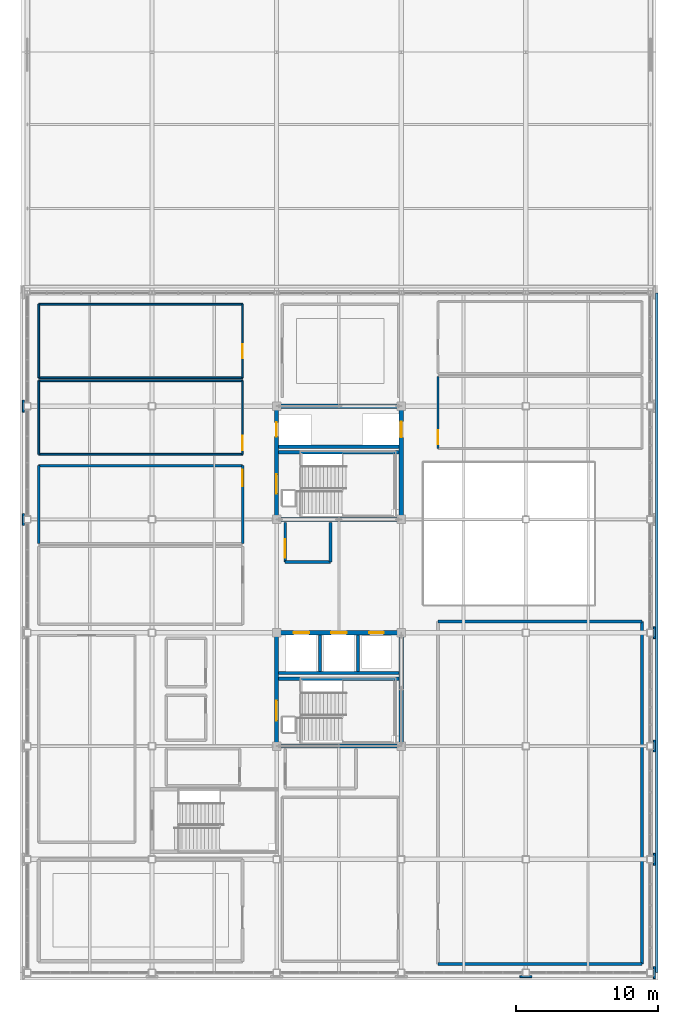
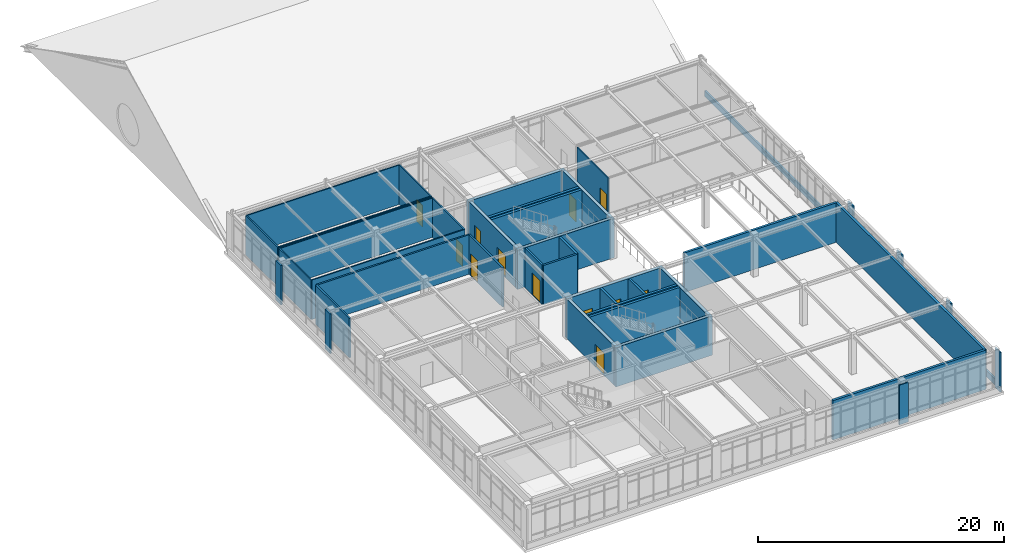
# One storey, part 41 of 45: 40 walls, 12 doors, 12 openings.
"""IFC4 building model written with IfcOpenShell, lengths in metres."""

from ifc_helpers import new_model, si_unit, direction, frame, frame_2d, origin, place, context, subcontext, project, spatial, rectangle, extrude, material, layer, layer_set, type_object, element, fill, save


model = new_model("IFC4")

# Units and contexts
model_context = context("Model", 3, precision=1e-05, world=origin(), true_north=direction((0.0, 1.0)))
body_context = subcontext(model_context, "Body", "Model", "MODEL_VIEW")
ifc_project = project(units=[si_unit("LENGTHUNIT", "METRE"), si_unit("AREAUNIT", "SQUARE_METRE"), si_unit("VOLUMEUNIT", "CUBIC_METRE"), si_unit("PLANEANGLEUNIT", "RADIAN"), si_unit("MASSUNIT", "GRAM", prefix="KILO")], contexts=[model_context])

# Site, building, storey
site_placement = place(None, origin())
site = spatial("IfcSite", under=ifc_project, at=site_placement, CompositionType="ELEMENT")
building_placement = place(site_placement, origin())
building = spatial("IfcBuilding", under=site, at=building_placement, Name="Zhaolan Boulevard Law Courts", CompositionType="ELEMENT")
storey_placement = place(building_placement, frame((0.0, 0.0, 24.60009765625)))
storey = spatial("IfcBuildingStorey", under=building, at=storey_placement, Name="L05", CompositionType="ELEMENT", Elevation=24.60009765625)

# Wall
ifc_material_1 = material(Name="Concrete C50", Category="concrete")
ifc_layer_1 = layer(ifc_material_1, 0.300048828125)
ifc_layer_set_1 = layer_set([ifc_layer_1])
wall_type_1 = type_object("IfcWallType", Name="CORE SHEAR WALL 300", PredefinedType="SHEAR", material=ifc_layer_set_1)
wall_1_placement = place(storey_placement, frame((17.449951171875, 46.0, 0.0), z_axis=(0.0, 0.0, 1.0), x_axis=(1.0, 0.0, 0.0)))
element("IfcWall", 1, at=wall_1_placement, inside=storey, type_object=wall_type_1, Name="Core Shear Wall CW-W1-L05S", PredefinedType="SHEAR", context=body_context, shape_type="SweptSolid", body=[
    extrude(rectangle(XDim=9.10009765625, YDim=0.300048828125, at=frame_2d((4.550048828125, 0.0))), origin(), (0.0, 0.0, 1.0), 3.919921875),
])

# Wall, openings, doors
wall_2_placement = place(storey_placement, frame((26.550048828125, 54.0, 0.0), z_axis=(0.0, 0.0, 1.0), x_axis=(-1.0, 0.0, 0.0)))
wall_2 = element("IfcWall", 2, at=wall_2_placement, inside=storey, type_object=wall_type_1, Name="Core Shear Wall CW-W1-L05N", PredefinedType="SHEAR", context=body_context, shape_type="SweptSolid", body=[
    extrude(rectangle(XDim=9.10009765625, YDim=0.300048828125, at=frame_2d((4.550048828125, 0.0))), origin(), (0.0, 0.0, 1.0), 3.919921875),
])
opening_1_placement = place(wall_2_placement, frame((6.64990234375, 0.0, 0.0)))
opening_1 = element("IfcOpeningElement", 3, at=opening_1_placement, cuts=wall_2, Name="Opening LD-FL-01-L05", PredefinedType="OPENING", context=body_context, shape_type="SweptSolid", body=[
    extrude(rectangle(XDim=1.10009765625, YDim=2.14990234375, at=frame_2d((0.550048828125, 1.074951171875))), frame((0.0, 0.159912109375, 0.0), z_axis=(0.0, -1.0, 0.0), x_axis=(1.0, 0.0, 0.0)), (0.0, 0.0, 1.0), 0.320068359375),
])
opening_2_placement = place(wall_2_placement, frame((4.0, 0.0, 0.0)))
opening_2 = element("IfcOpeningElement", 4, at=opening_2_placement, cuts=wall_2, Name="Opening LD-FL-02-L05", PredefinedType="OPENING", context=body_context, shape_type="SweptSolid", body=[
    extrude(rectangle(XDim=1.10009765625, YDim=2.14990234375, at=frame_2d((0.550048828125, 1.074951171875))), frame((0.0, 0.159912109375, 0.0), z_axis=(0.0, -1.0, 0.0), x_axis=(1.0, 0.0, 0.0)), (0.0, 0.0, 1.0), 0.320068359375),
])
opening_3_placement = place(wall_2_placement, frame((1.39990234375, 0.0, 0.0)))
opening_3 = element("IfcOpeningElement", 5, at=opening_3_placement, cuts=wall_2, Name="Opening LD-JL-01-L05", PredefinedType="OPENING", context=body_context, shape_type="SweptSolid", body=[
    extrude(rectangle(XDim=1.0, YDim=2.14990234375, at=frame_2d((0.5, 1.074951171875))), frame((0.0, 0.159912109375, 0.0), z_axis=(0.0, -1.0, 0.0), x_axis=(1.0, 0.0, 0.0)), (0.0, 0.0, 1.0), 0.320068359375),
])
ifc_material_2 = material(Name="Stainless steel sliding landing door", Category="steel")
door_type_1 = type_object("IfcDoorType", Name="LIFT LANDING 1000X2150", OperationType="DOUBLE_DOOR_SLIDING", PredefinedType="DOOR", material=ifc_material_2)
door_1_placement = place(opening_3_placement, origin())
door_1 = element("IfcDoor", 6, at=door_1_placement, inside=storey, type_object=door_type_1, Name="Lift Landing Sliding Door LD-JL-01-L05", OperationType="DOUBLE_DOOR_SLIDING", OverallHeight=2.14990234375, OverallWidth=1.0, PredefinedType="DOOR", context=body_context, shape_type="SweptSolid", body=[
    extrude(rectangle(XDim=1.0, YDim=2.14990234375, at=frame_2d((0.5, 1.074951171875))), frame((0.0, 0.02490234375, 0.0), z_axis=(0.0, -1.0, 0.0), x_axis=(1.0, 0.0, 0.0)), (0.0, 0.0, 1.0), 0.050048828125),
])
fill(opening_3, door_1)
ifc_material_3 = material(Name="Stainless steel sliding landing door", Category="steel")
door_type_2 = type_object("IfcDoorType", Name="LIFT LANDING 1100X2150", OperationType="DOUBLE_DOOR_SLIDING", PredefinedType="DOOR", material=ifc_material_3)
door_2_placement = place(opening_1_placement, origin())
door_2 = element("IfcDoor", 7, at=door_2_placement, inside=storey, type_object=door_type_2, Name="Lift Landing Sliding Door LD-FL-01-L05", OperationType="DOUBLE_DOOR_SLIDING", OverallHeight=2.14990234375, OverallWidth=1.10009765625, PredefinedType="DOOR", context=body_context, shape_type="SweptSolid", body=[
    extrude(rectangle(XDim=1.10009765625, YDim=2.14990234375, at=frame_2d((0.550048828125, 1.074951171875))), frame((0.0, 0.02490234375, 0.0), z_axis=(0.0, -1.0, 0.0), x_axis=(1.0, 0.0, 0.0)), (0.0, 0.0, 1.0), 0.050048828125),
])
fill(opening_1, door_2)
door_3_placement = place(opening_2_placement, origin())
door_3 = element("IfcDoor", 8, at=door_3_placement, inside=storey, type_object=door_type_2, Name="Lift Landing Sliding Door LD-FL-02-L05", OperationType="DOUBLE_DOOR_SLIDING", OverallHeight=2.14990234375, OverallWidth=1.10009765625, PredefinedType="DOOR", context=body_context, shape_type="SweptSolid", body=[
    extrude(rectangle(XDim=1.10009765625, YDim=2.14990234375, at=frame_2d((0.550048828125, 1.074951171875))), frame((0.0, 0.02490234375, 0.0), z_axis=(0.0, -1.0, 0.0), x_axis=(1.0, 0.0, 0.0)), (0.0, 0.0, 1.0), 0.050048828125),
])
fill(opening_2, door_3)

# Wall, opening, door
wall_3_placement = place(storey_placement, frame((17.60009765625, 46.14990234375, 0.0), z_axis=(0.0, 0.0, 1.0), x_axis=(0.0, 1.0, 0.0)))
wall_3 = element("IfcWall", 9, at=wall_3_placement, inside=storey, type_object=wall_type_1, Name="Core Shear Wall CW-W1-L05W", PredefinedType="SHEAR", context=body_context, shape_type="SweptSolid", body=[
    extrude(rectangle(XDim=7.7001953125, YDim=0.300048828125, at=frame_2d((3.85009765625, 0.0))), origin(), (0.0, 0.0, 1.0), 3.919921875),
])
opening_4_placement = place(wall_3_placement, frame((1.64990234375, 0.0, 0.0)))
opening_4 = element("IfcOpeningElement", 10, at=opening_4_placement, cuts=wall_3, Name="Opening SD-L05-07", PredefinedType="OPENING", context=body_context, shape_type="SweptSolid", body=[
    extrude(rectangle(XDim=1.39990234375, YDim=2.199951171875, at=frame_2d((0.699951171875, 1.10009765625))), frame((0.0, 0.159912109375, 0.0), z_axis=(0.0, -1.0, 0.0), x_axis=(1.0, 0.0, 0.0)), (0.0, 0.0, 1.0), 0.320068359375),
])
ifc_material_4 = material(Name="Fire-rated steel acoustic door", Category="steel")
door_type_3 = type_object("IfcDoorType", Name="STAIR FIRE 1400X2200 L", OperationType="SINGLE_SWING_LEFT", PredefinedType="DOOR", material=ifc_material_4)
door_4_placement = place(opening_4_placement, origin())
door_4 = element("IfcDoor", 11, at=door_4_placement, inside=storey, type_object=door_type_3, Name="Smoke-Proof Stairwell Fire Door SD-L05-07", OperationType="SINGLE_SWING_LEFT", OverallHeight=2.199951171875, OverallWidth=1.39990234375, PredefinedType="DOOR", context=body_context, shape_type="SweptSolid", body=[
    extrude(rectangle(XDim=1.39990234375, YDim=2.199951171875, at=frame_2d((0.699951171875, 1.10009765625))), frame((0.0, 0.02490234375, 0.0), z_axis=(0.0, -1.0, 0.0), x_axis=(1.0, 0.0, 0.0)), (0.0, 0.0, 1.0), 0.050048828125),
])
fill(opening_4, door_4)

# Walls
wall_4_placement = place(storey_placement, frame((26.39990234375, 46.14990234375, 0.0), z_axis=(0.0, 0.0, 1.0), x_axis=(0.0, 1.0, 0.0)))
element("IfcWall", 12, at=wall_4_placement, inside=storey, type_object=wall_type_1, Name="Core Shear Wall CW-W1-L05E", PredefinedType="SHEAR", context=body_context, shape_type="SweptSolid", body=[
    extrude(rectangle(XDim=7.7001953125, YDim=0.300048828125, at=frame_2d((3.85009765625, 0.0))), origin(), (0.0, 0.0, 1.0), 3.919921875),
])
for number, where, z_axis, x_axis, name in (
    (13, (17.449951171875, 62.0, 0.0), (0.0, 0.0, 1.0), (1.0, 0.0, 0.0), "Core Shear Wall CW-W2-L05S"),
    (14, (26.550048828125, 70.0, 0.0), (0.0, 0.0, 1.0), (-1.0, 0.0, 0.0), "Core Shear Wall CW-W2-L05N"),
):
    element("IfcWall", number, at=place(storey_placement, frame(where, z_axis=z_axis, x_axis=x_axis)), inside=storey, type_object=wall_type_1, Name=name, PredefinedType="SHEAR", context=body_context, shape_type="SweptSolid", body=[
        extrude(rectangle(XDim=9.10009765625, YDim=0.300048828125, at=frame_2d((4.550048828125, 0.0))), origin(), (0.0, 0.0, 1.0), 3.919921875),
    ])

# Wall, openings, doors
wall_5_placement = place(storey_placement, frame((17.60009765625, 62.14990234375, 0.0), z_axis=(0.0, 0.0, 1.0), x_axis=(0.0, 1.0, 0.0)))
wall_5 = element("IfcWall", 15, at=wall_5_placement, inside=storey, type_object=wall_type_1, Name="Core Shear Wall CW-W2-L05W", PredefinedType="SHEAR", context=body_context, shape_type="SweptSolid", body=[
    extrude(rectangle(XDim=7.7001953125, YDim=0.300048828125, at=frame_2d((3.85009765625, 0.0))), origin(), (0.0, 0.0, 1.0), 3.919921875),
])
opening_5_placement = place(wall_5_placement, frame((1.675048828125, 0.0, 0.0)))
opening_5 = element("IfcOpeningElement", 16, at=opening_5_placement, cuts=wall_5, Name="Opening SD-L05-18", PredefinedType="OPENING", context=body_context, shape_type="SweptSolid", body=[
    extrude(rectangle(XDim=1.35009765625, YDim=2.199951171875, at=frame_2d((0.675048828125, 1.10009765625))), frame((0.0, 0.159912109375, 0.0), z_axis=(0.0, -1.0, 0.0), x_axis=(1.0, 0.0, 0.0)), (0.0, 0.0, 1.0), 0.320068359375),
])
opening_6_placement = place(wall_5_placement, frame((5.699951171875, 0.0, 0.0)))
opening_6 = element("IfcOpeningElement", 17, at=opening_6_placement, cuts=wall_5, Name="Opening LD-JL-02-L05", PredefinedType="OPENING", context=body_context, shape_type="SweptSolid", body=[
    extrude(rectangle(XDim=1.0, YDim=2.14990234375, at=frame_2d((0.5, 1.074951171875))), frame((0.0, 0.159912109375, 0.0), z_axis=(0.0, -1.0, 0.0), x_axis=(1.0, 0.0, 0.0)), (0.0, 0.0, 1.0), 0.320068359375),
])
door_5_placement = place(opening_6_placement, origin())
door_5 = element("IfcDoor", 18, at=door_5_placement, inside=storey, type_object=door_type_1, Name="Lift Landing Sliding Door LD-JL-02-L05", OperationType="DOUBLE_DOOR_SLIDING", OverallHeight=2.14990234375, OverallWidth=1.0, PredefinedType="DOOR", context=body_context, shape_type="SweptSolid", body=[
    extrude(rectangle(XDim=1.0, YDim=2.14990234375, at=frame_2d((0.5, 1.074951171875))), frame((0.0, 0.02490234375, 0.0), z_axis=(0.0, -1.0, 0.0), x_axis=(1.0, 0.0, 0.0)), (0.0, 0.0, 1.0), 0.050048828125),
])
fill(opening_6, door_5)
ifc_material_5 = material(Name="Fire-rated steel acoustic door", Category="steel")
door_type_4 = type_object("IfcDoorType", Name="STAIR FIRE 1350X2200 R", OperationType="SINGLE_SWING_RIGHT", PredefinedType="DOOR", material=ifc_material_5)
door_6_placement = place(opening_5_placement, origin())
door_6 = element("IfcDoor", 19, at=door_6_placement, inside=storey, type_object=door_type_4, Name="Smoke-Proof Stairwell Fire Door SD-L05-18", OperationType="SINGLE_SWING_RIGHT", OverallHeight=2.199951171875, OverallWidth=1.35009765625, PredefinedType="DOOR", context=body_context, shape_type="SweptSolid", body=[
    extrude(rectangle(XDim=1.35009765625, YDim=2.199951171875, at=frame_2d((0.675048828125, 1.10009765625))), frame((0.0, 0.02490234375, 0.0), z_axis=(0.0, -1.0, 0.0), x_axis=(1.0, 0.0, 0.0)), (0.0, 0.0, 1.0), 0.050048828125),
])
fill(opening_5, door_6)

# Wall, opening, door
wall_6_placement = place(storey_placement, frame((26.39990234375, 62.14990234375, 0.0), z_axis=(0.0, 0.0, 1.0), x_axis=(0.0, 1.0, 0.0)))
wall_6 = element("IfcWall", 20, at=wall_6_placement, inside=storey, type_object=wall_type_1, Name="Core Shear Wall CW-W2-L05E", PredefinedType="SHEAR", context=body_context, shape_type="SweptSolid", body=[
    extrude(rectangle(XDim=7.7001953125, YDim=0.300048828125, at=frame_2d((3.85009765625, 0.0))), origin(), (0.0, 0.0, 1.0), 3.919921875),
])
opening_7_placement = place(wall_6_placement, frame((5.64990234375, 0.0, 0.0)))
opening_7 = element("IfcOpeningElement", 21, at=opening_7_placement, cuts=wall_6, Name="Opening LD-FL-03-L05", PredefinedType="OPENING", context=body_context, shape_type="SweptSolid", body=[
    extrude(rectangle(XDim=1.10009765625, YDim=2.14990234375, at=frame_2d((0.550048828125, 1.074951171875))), frame((0.0, 0.159912109375, 0.0), z_axis=(0.0, -1.0, 0.0), x_axis=(1.0, 0.0, 0.0)), (0.0, 0.0, 1.0), 0.320068359375),
])
door_7_placement = place(opening_7_placement, origin())
door_7 = element("IfcDoor", 22, at=door_7_placement, inside=storey, type_object=door_type_2, Name="Lift Landing Sliding Door LD-FL-03-L05", OperationType="DOUBLE_DOOR_SLIDING", OverallHeight=2.14990234375, OverallWidth=1.10009765625, PredefinedType="DOOR", context=body_context, shape_type="SweptSolid", body=[
    extrude(rectangle(XDim=1.10009765625, YDim=2.14990234375, at=frame_2d((0.550048828125, 1.074951171875))), frame((0.0, 0.02490234375, 0.0), z_axis=(0.0, -1.0, 0.0), x_axis=(1.0, 0.0, 0.0)), (0.0, 0.0, 1.0), 0.050048828125),
])
fill(opening_7, door_7)

# Walls
ifc_material_6 = material(Name="Concrete C40", Category="concrete")
ifc_layer_2 = layer(ifc_material_6, 0.139892578125)
ifc_layer_set_2 = layer_set([ifc_layer_2])
wall_type_2 = type_object("IfcWallType", Name="EXT WALL ARCH CLAD140", PredefinedType="SOLIDWALL", material=ifc_layer_set_2)
for number, where, z_axis, x_axis, name in (
    (23, (44.280029296875, 29.580078125, 0.0), (0.0, 0.0, 1.0), (0.0, 1.0, 0.0), "Concrete Column Cloak Pier CPR-122"),
    (24, (44.280029296875, 37.580078125, 0.0), (0.0, 0.0, 1.0), (0.0, 1.0, 0.0), "Concrete Column Cloak Pier CPR-124"),
    (25, (44.280029296875, 45.580078125, 0.0), (0.0, 0.0, 1.0), (0.0, 1.0, 0.0), "Concrete Column Cloak Pier CPR-126"),
    (26, (44.280029296875, 53.580078125, 0.0), (0.0, 0.0, 1.0), (0.0, 1.0, 0.0), "Concrete Column Cloak Pier CPR-128"),
    (27, (-0.280029296875, 61.580078125, 0.0), (0.0, 0.0, 1.0), (0.0, 1.0, 0.0), "Concrete Column Cloak Pier CPR-129"),
    (28, (-0.280029296875, 69.580078125, 0.0), (0.0, 0.0, 1.0), (0.0, 1.0, 0.0), "Concrete Column Cloak Pier CPR-131"),
):
    element("IfcWall", number, at=place(storey_placement, frame(where, z_axis=z_axis, x_axis=x_axis)), inside=storey, type_object=wall_type_2, Name=name, PredefinedType="SOLIDWALL", context=body_context, shape_type="SweptSolid", body=[
        extrude(rectangle(XDim=0.83984375, YDim=0.139892578125, at=frame_2d((0.419921875, 0.0))), origin(), (0.0, 0.0, 1.0), 3.93994140625),
    ])
wall_7_placement = place(storey_placement, frame((34.780029296875, 29.719970703125, 0.0), z_axis=(0.0, 0.0, 1.0), x_axis=(1.0, 0.0, 0.0)))
element("IfcWall", 29, at=wall_7_placement, inside=storey, type_object=wall_type_2, Name="Concrete Column Cloak Pier CPR-138", PredefinedType="SOLIDWALL", context=body_context, shape_type="SweptSolid", body=[
    extrude(rectangle(XDim=0.840087890625, YDim=0.139892578125, at=frame_2d((0.419921875, 0.0))), origin(), (0.0, 0.0, 1.0), 3.93994140625),
])
ifc_material_7 = material(Name="Concrete C40", Category="concrete")
ifc_layer_3 = layer(ifc_material_7, 0.159912109375)
ifc_layer_set_3 = layer_set([ifc_layer_3])
wall_type_3 = type_object("IfcWallType", Name="EXT WALL ARCH CLAD160", PredefinedType="SOLIDWALL", material=ifc_layer_set_3)
wall_8_placement = place(storey_placement, frame((44.43994140625, 30.0, 0.0), z_axis=(0.0, 0.0, 1.0), x_axis=(0.0, 1.0, 0.0)))
element("IfcWall", 30, at=wall_8_placement, inside=storey, type_object=wall_type_3, Name="Sculpted Concrete Spandrel Band CBW-118", PredefinedType="SOLIDWALL", context=body_context, shape_type="SweptSolid", body=[
    extrude(rectangle(XDim=48.0, YDim=0.159912109375, at=frame_2d((24.0, 0.0))), origin(), (0.0, 0.0, 1.0), 0.579833984375),
])
ifc_material_8 = material(Name="Concrete C50", Category="concrete")
ifc_layer_4 = layer(ifc_material_8, 0.239990234375)
ifc_layer_set_4 = layer_set([ifc_layer_4])
wall_type_4 = type_object("IfcWallType", Name="LIFT SHAFT WALL 240", PredefinedType="SHEAR", material=ifc_layer_set_4)
for number, where, z_axis, x_axis, name in (
    (31, (17.75, 51.155029296875, 0.0), (0.0, 0.0, 1.0), (1.0, 0.0, 0.0), "Lift Shaft Enclosure Wall W1 (L05)"),
    (32, (17.75, 67.1298828125, 0.0), (0.0, 0.0, 1.0), (1.0, 0.0, 0.0), "Lift Shaft Enclosure Wall W2 (L05)"),
):
    element("IfcWall", number, at=place(storey_placement, frame(where, z_axis=z_axis, x_axis=x_axis)), inside=storey, type_object=wall_type_4, Name=name, PredefinedType="SHEAR", context=body_context, shape_type="SweptSolid", body=[
        extrude(rectangle(XDim=8.5, YDim=0.239990234375, at=frame_2d((4.25, 0.0))), origin(), (0.0, 0.0, 1.0), 3.919921875),
    ])
ifc_material_9 = material(Name="Acoustic gypsum and mineral-wool stud")
ifc_layer_5 = layer(ifc_material_9, 0.18994140625)
ifc_layer_set_5 = layer_set([ifc_layer_5])
wall_type_5 = type_object("IfcWallType", Name="PART WALL ACOUST190", PredefinedType="PARTITIONING", material=ifc_layer_set_5)
wall_9_placement = place(storey_placement, frame((18.199951171875, 59.0, 0.0), z_axis=(0.0, 0.0, 1.0), x_axis=(1.0, 0.0, 0.0)))
element("IfcWall", 33, at=wall_9_placement, inside=storey, type_object=wall_type_5, Name="Interior Partition PW-L05-040", PredefinedType="PARTITIONING", context=body_context, shape_type="SweptSolid", body=[
    extrude(rectangle(XDim=3.199951171875, YDim=0.18994140625, at=frame_2d((1.60009765625, 0.0))), origin(), (0.0, 0.0, 1.0), 3.919921875),
])

# Wall, opening, door
wall_10_placement = place(storey_placement, frame((18.199951171875, 61.800048828125, 0.0), z_axis=(0.0, 0.0, 1.0), x_axis=(0.0, -1.0, 0.0)))
wall_10 = element("IfcWall", 34, at=wall_10_placement, inside=storey, type_object=wall_type_5, Name="Interior Partition PW-L05-041", PredefinedType="PARTITIONING", context=body_context, shape_type="SweptSolid", body=[
    extrude(rectangle(XDim=2.800048828125, YDim=0.18994140625, at=frame_2d((1.39990234375, 0.0))), origin(), (0.0, 0.0, 1.0), 3.919921875),
])
opening_8_placement = place(wall_10_placement, frame((1.199951171875, 0.0, 0.0)))
opening_8 = element("IfcOpeningElement", 35, at=opening_8_placement, cuts=wall_10, Name="Opening FD-L05-014", PredefinedType="OPENING", context=body_context, shape_type="SweptSolid", body=[
    extrude(rectangle(XDim=1.300048828125, YDim=2.199951171875, at=frame_2d((0.64990234375, 1.10009765625))), frame((0.0, 0.10498046875, 0.0), z_axis=(0.0, -1.0, 0.0), x_axis=(1.0, 0.0, 0.0)), (0.0, 0.0, 1.0), 0.2099609375),
])
ifc_material_10 = material(Name="Fire-rated steel acoustic door", Category="steel")
door_type_5 = type_object("IfcDoorType", Name="LOBBY FIRE 1300X2200 R", OperationType="SINGLE_SWING_RIGHT", PredefinedType="DOOR", material=ifc_material_10)
door_8_placement = place(opening_8_placement, origin())
door_8 = element("IfcDoor", 36, at=door_8_placement, inside=storey, type_object=door_type_5, Name="Door FD-L05-014 (Lobby Firefighting Lift L05-W2)", OperationType="SINGLE_SWING_RIGHT", OverallHeight=2.199951171875, OverallWidth=1.300048828125, PredefinedType="DOOR", context=body_context, shape_type="SweptSolid", body=[
    extrude(rectangle(XDim=1.300048828125, YDim=2.199951171875, at=frame_2d((0.64990234375, 1.10009765625))), frame((0.0, 0.02490234375, 0.0), z_axis=(0.0, -1.0, 0.0), x_axis=(1.0, 0.0, 0.0)), (0.0, 0.0, 1.0), 0.050048828125),
])
fill(opening_8, door_8)

# Walls
wall_11_placement = place(storey_placement, frame((21.39990234375, 59.0, 0.0), z_axis=(0.0, 0.0, 1.0), x_axis=(0.0, 1.0, 0.0)))
element("IfcWall", 37, at=wall_11_placement, inside=storey, type_object=wall_type_5, Name="Interior Partition PW-L05-042", PredefinedType="PARTITIONING", context=body_context, shape_type="SweptSolid", body=[
    extrude(rectangle(XDim=2.800048828125, YDim=0.18994140625, at=frame_2d((1.39990234375, 0.0))), origin(), (0.0, 0.0, 1.0), 3.919921875),
])
ifc_material_11 = material(Name="Fire-rated gypsum stud partition")
ifc_layer_6 = layer(ifc_material_11, 0.159912109375)
ifc_layer_set_6 = layer_set([ifc_layer_6])
wall_type_6 = type_object("IfcWallType", Name="PART WALL CHAMB160", PredefinedType="PARTITIONING", material=ifc_layer_set_6)
wall_12_placement = place(storey_placement, frame((15.199951171875, 65.800048828125, 0.0), z_axis=(0.0, 0.0, 1.0), x_axis=(-1.0, 0.0, 0.0)))
element("IfcWall", 38, at=wall_12_placement, inside=storey, type_object=wall_type_6, Name="Interior Partition PW-L05-643", PredefinedType="PARTITIONING", context=body_context, shape_type="SweptSolid", body=[
    extrude(rectangle(XDim=14.39990234375, YDim=0.159912109375, at=frame_2d((7.199951171875, 0.0))), origin(), (0.0, 0.0, 1.0), 3.919921875),
])
wall_13_placement = place(storey_placement, frame((0.800048828125, 65.800048828125, 0.0), z_axis=(0.0, 0.0, 1.0), x_axis=(0.0, -1.0, 0.0)))
element("IfcWall", 39, at=wall_13_placement, inside=storey, type_object=wall_type_6, Name="Interior Partition PW-L05-644", PredefinedType="PARTITIONING", context=body_context, shape_type="SweptSolid", body=[
    extrude(rectangle(XDim=5.489990234375, YDim=0.159912109375, at=frame_2d((2.7451171875, 0.0))), origin(), (0.0, 0.0, 1.0), 3.919921875),
])

# Wall, opening, door
wall_14_placement = place(storey_placement, frame((15.199951171875, 60.31005859375, 0.0), z_axis=(0.0, 0.0, 1.0), x_axis=(0.0, 1.0, 0.0)))
wall_14 = element("IfcWall", 40, at=wall_14_placement, inside=storey, type_object=wall_type_6, Name="Interior Partition PW-L05-645", PredefinedType="PARTITIONING", context=body_context, shape_type="SweptSolid", body=[
    extrude(rectangle(XDim=5.489990234375, YDim=0.159912109375, at=frame_2d((2.7451171875, 0.0))), origin(), (0.0, 0.0, 1.0), 3.919921875),
])
opening_9_placement = place(wall_14_placement, frame((4.0400390625, 0.0, 0.0)))
opening_9 = element("IfcOpeningElement", 41, at=opening_9_placement, cuts=wall_14, Name="Opening JR-L05-197", PredefinedType="OPENING", context=body_context, shape_type="SweptSolid", body=[
    extrude(rectangle(XDim=1.14990234375, YDim=2.199951171875, at=frame_2d((0.574951171875, 1.10009765625))), frame((0.0, 0.08984375, 0.0), z_axis=(0.0, -1.0, 0.0), x_axis=(1.0, 0.0, 0.0)), (0.0, 0.0, 1.0), 0.179931640625),
])
ifc_material_12 = material(Name="Solid-core acoustic oak veneer door")
door_type_6 = type_object("IfcDoorType", Name="JURY DOOR 1150X2200 L", OperationType="SINGLE_SWING_LEFT", PredefinedType="DOOR", material=ifc_material_12)
door_9_placement = place(opening_9_placement, origin())
door_9 = element("IfcDoor", 42, at=door_9_placement, inside=storey, type_object=door_type_6, Name="Door JR-L05-197 (Jury Room L05-02)", OperationType="SINGLE_SWING_LEFT", OverallHeight=2.199951171875, OverallWidth=1.14990234375, PredefinedType="DOOR", context=body_context, shape_type="SweptSolid", body=[
    extrude(rectangle(XDim=1.14990234375, YDim=2.199951171875, at=frame_2d((0.574951171875, 1.10009765625))), frame((0.0, 0.02490234375, 0.0), z_axis=(0.0, -1.0, 0.0), x_axis=(1.0, 0.0, 0.0)), (0.0, 0.0, 1.0), 0.050048828125),
])
fill(opening_9, door_9)

# Walls
ifc_material_13 = material(Name="Concrete C40", Category="concrete")
ifc_layer_7 = layer(ifc_material_13, 0.219970703125)
ifc_layer_set_7 = layer_set([ifc_layer_7])
wall_type_7 = type_object("IfcWallType", Name="PART WALL COURT220", PredefinedType="PARTITIONING", material=ifc_layer_set_7)
for number, where, z_axis, x_axis, name in (
    (43, (29.0, 30.60009765625, 0.0), (0.0, 0.0, 1.0), (1.0, 0.0, 0.0), "Interior Partition PW-L05-634"),
    (44, (43.39990234375, 54.800048828125, 0.0), (0.0, 0.0, 1.0), (-1.0, 0.0, 0.0), "Interior Partition PW-L05-635"),
):
    element("IfcWall", number, at=place(storey_placement, frame(where, z_axis=z_axis, x_axis=x_axis)), inside=storey, type_object=wall_type_7, Name=name, PredefinedType="PARTITIONING", context=body_context, shape_type="SweptSolid", body=[
        extrude(rectangle(XDim=14.39990234375, YDim=0.219970703125, at=frame_2d((7.199951171875, 0.0))), origin(), (0.0, 0.0, 1.0), 3.919921875),
    ])
wall_15_placement = place(storey_placement, frame((43.39990234375, 30.60009765625, 0.0), z_axis=(0.0, 0.0, 1.0), x_axis=(0.0, 1.0, 0.0)))
element("IfcWall", 45, at=wall_15_placement, inside=storey, type_object=wall_type_7, Name="Interior Partition PW-L05-637", PredefinedType="PARTITIONING", context=body_context, shape_type="SweptSolid", body=[
    extrude(rectangle(XDim=24.199951171875, YDim=0.219970703125, at=frame_2d((12.10009765625, 0.0))), origin(), (0.0, 0.0, 1.0), 3.919921875),
])
ifc_material_14 = material(Name="Concrete C40", Category="concrete")
ifc_layer_8 = layer(ifc_material_14, 0.2099609375)
ifc_layer_set_8 = layer_set([ifc_layer_8])
wall_type_8 = type_object("IfcWallType", Name="PART WALL CUSTODY210", PredefinedType="PARTITIONING", material=ifc_layer_set_8)
for number, where, z_axis, x_axis, name in (
    (46, (20.675048828125, 51.277099609375, 0.0), (0.0, 0.0, 1.0), (0.0, 1.0, 0.0), "Lift Shaft Divider Wall W1-1 (L05)"),
    (47, (23.337890625, 51.277099609375, 0.0), (0.0, 0.0, 1.0), (0.0, 1.0, 0.0), "Lift Shaft Divider Wall W1-2 (L05)"),
):
    element("IfcWall", number, at=place(storey_placement, frame(where, z_axis=z_axis, x_axis=x_axis)), inside=storey, type_object=wall_type_8, Name=name, PredefinedType="PARTITIONING", context=body_context, shape_type="SweptSolid", body=[
        extrude(rectangle(XDim=2.57080078125, YDim=0.2099609375, at=frame_2d((1.285400390625, 0.0))), origin(), (0.0, 0.0, 1.0), 3.919921875),
    ])
ifc_material_15 = material(Name="Gypsum board stud partition")
ifc_layer_9 = layer(ifc_material_15, 0.1201171875)
ifc_layer_set_9 = layer_set([ifc_layer_9])
wall_type_9 = type_object("IfcWallType", Name="PART WALL LIGHT120", PredefinedType="PARTITIONING", material=ifc_layer_set_9)
for number, where, z_axis, x_axis, name in (
    (48, (0.800048828125, 66.60009765625, 0.0), (0.0, 0.0, 1.0), (1.0, 0.0, 0.0), "Interior Partition PW-L05-646"),
    (49, (15.199951171875, 71.7900390625, 0.0), (0.0, 0.0, 1.0), (-1.0, 0.0, 0.0), "Interior Partition PW-L05-647"),
):
    element("IfcWall", number, at=place(storey_placement, frame(where, z_axis=z_axis, x_axis=x_axis)), inside=storey, type_object=wall_type_9, Name=name, PredefinedType="PARTITIONING", context=body_context, shape_type="SweptSolid", body=[
        extrude(rectangle(XDim=14.39990234375, YDim=0.1201171875, at=frame_2d((7.199951171875, 0.0))), origin(), (0.0, 0.0, 1.0), 3.919921875),
    ])
wall_16_placement = place(storey_placement, frame((0.800048828125, 71.7900390625, 0.0), z_axis=(0.0, 0.0, 1.0), x_axis=(0.0, -1.0, 0.0)))
element("IfcWall", 50, at=wall_16_placement, inside=storey, type_object=wall_type_9, Name="Interior Partition PW-L05-648", PredefinedType="PARTITIONING", context=body_context, shape_type="SweptSolid", body=[
    extrude(rectangle(XDim=5.18994140625, YDim=0.1201171875, at=frame_2d((2.594970703125, 0.0))), origin(), (0.0, 0.0, 1.0), 3.919921875),
])

# Wall, opening, door
wall_17_placement = place(storey_placement, frame((15.199951171875, 66.60009765625, 0.0), z_axis=(0.0, 0.0, 1.0), x_axis=(0.0, 1.0, 0.0)))
wall_17 = element("IfcWall", 51, at=wall_17_placement, inside=storey, type_object=wall_type_9, Name="Interior Partition PW-L05-649", PredefinedType="PARTITIONING", context=body_context, shape_type="SweptSolid", body=[
    extrude(rectangle(XDim=5.18994140625, YDim=0.1201171875, at=frame_2d((2.594970703125, 0.0))), origin(), (0.0, 0.0, 1.0), 3.919921875),
])
opening_10_placement = place(wall_17_placement, frame((0.300048828125, 0.0, 0.0)))
opening_10 = element("IfcOpeningElement", 52, at=opening_10_placement, cuts=wall_17, Name="Opening JD-L05-198", PredefinedType="OPENING", context=body_context, shape_type="SweptSolid", body=[
    extrude(rectangle(XDim=1.0, YDim=2.14990234375, at=frame_2d((0.5, 1.074951171875))), frame((0.0, 0.070068359375, 0.0), z_axis=(0.0, -1.0, 0.0), x_axis=(1.0, 0.0, 0.0)), (0.0, 0.0, 1.0), 0.14013671875),
])
ifc_material_16 = material(Name="Solid-core acoustic oak veneer door")
door_type_7 = type_object("IfcDoorType", Name="CHAMBER DOOR 1000X2150 L", OperationType="SINGLE_SWING_LEFT", PredefinedType="DOOR", material=ifc_material_16)
door_10_placement = place(opening_10_placement, origin())
door_10 = element("IfcDoor", 53, at=door_10_placement, inside=storey, type_object=door_type_7, Name="Door JD-L05-198 (Judges' Chambers L05-01)", OperationType="SINGLE_SWING_LEFT", OverallHeight=2.14990234375, OverallWidth=1.0, PredefinedType="DOOR", context=body_context, shape_type="SweptSolid", body=[
    extrude(rectangle(XDim=1.0, YDim=2.14990234375, at=frame_2d((0.5, 1.074951171875))), frame((0.0, 0.02490234375, 0.0), z_axis=(0.0, -1.0, 0.0), x_axis=(1.0, 0.0, 0.0)), (0.0, 0.0, 1.0), 0.050048828125),
])
fill(opening_10, door_10)

# Walls
for number, where, z_axis, x_axis, name in (
    (54, (0.800048828125, 72.010009765625, 0.0), (0.0, 0.0, 1.0), (1.0, 0.0, 0.0), "Interior Partition PW-L05-650"),
    (55, (15.199951171875, 77.199951171875, 0.0), (0.0, 0.0, 1.0), (-1.0, 0.0, 0.0), "Interior Partition PW-L05-651"),
):
    element("IfcWall", number, at=place(storey_placement, frame(where, z_axis=z_axis, x_axis=x_axis)), inside=storey, type_object=wall_type_9, Name=name, PredefinedType="PARTITIONING", context=body_context, shape_type="SweptSolid", body=[
        extrude(rectangle(XDim=14.39990234375, YDim=0.1201171875, at=frame_2d((7.199951171875, 0.0))), origin(), (0.0, 0.0, 1.0), 3.919921875),
    ])
wall_18_placement = place(storey_placement, frame((0.800048828125, 77.199951171875, 0.0), z_axis=(0.0, 0.0, 1.0), x_axis=(0.0, -1.0, 0.0)))
element("IfcWall", 56, at=wall_18_placement, inside=storey, type_object=wall_type_9, Name="Interior Partition PW-L05-652", PredefinedType="PARTITIONING", context=body_context, shape_type="SweptSolid", body=[
    extrude(rectangle(XDim=5.18994140625, YDim=0.1201171875, at=frame_2d((2.594970703125, 0.0))), origin(), (0.0, 0.0, 1.0), 3.919921875),
])

# Wall, opening, door
wall_19_placement = place(storey_placement, frame((15.199951171875, 72.010009765625, 0.0), z_axis=(0.0, 0.0, 1.0), x_axis=(0.0, 1.0, 0.0)))
wall_19 = element("IfcWall", 57, at=wall_19_placement, inside=storey, type_object=wall_type_9, Name="Interior Partition PW-L05-653", PredefinedType="PARTITIONING", context=body_context, shape_type="SweptSolid", body=[
    extrude(rectangle(XDim=5.18994140625, YDim=0.1201171875, at=frame_2d((2.594970703125, 0.0))), origin(), (0.0, 0.0, 1.0), 3.919921875),
])
opening_11_placement = place(wall_19_placement, frame((1.383056640625, 0.0, 0.0)))
opening_11 = element("IfcOpeningElement", 58, at=opening_11_placement, cuts=wall_19, Name="Opening JD-L05-199", PredefinedType="OPENING", context=body_context, shape_type="SweptSolid", body=[
    extrude(rectangle(XDim=0.97998046875, YDim=2.14990234375, at=frame_2d((0.489990234375, 1.074951171875))), frame((0.0, 0.070068359375, 0.0), z_axis=(0.0, -1.0, 0.0), x_axis=(1.0, 0.0, 0.0)), (0.0, 0.0, 1.0), 0.14013671875),
])
ifc_material_17 = material(Name="Solid-core acoustic oak veneer door")
door_type_8 = type_object("IfcDoorType", Name="CHAMBER DOOR 980X2150 R", OperationType="SINGLE_SWING_RIGHT", PredefinedType="DOOR", material=ifc_material_17)
door_11_placement = place(opening_11_placement, origin())
door_11 = element("IfcDoor", 59, at=door_11_placement, inside=storey, type_object=door_type_8, Name="Door JD-L05-199 (Judges' Chambers L05-02)", OperationType="SINGLE_SWING_RIGHT", OverallHeight=2.14990234375, OverallWidth=0.97998046875, PredefinedType="DOOR", context=body_context, shape_type="SweptSolid", body=[
    extrude(rectangle(XDim=0.97998046875, YDim=2.14990234375, at=frame_2d((0.489990234375, 1.074951171875))), frame((0.0, 0.02490234375, 0.0), z_axis=(0.0, -1.0, 0.0), x_axis=(1.0, 0.0, 0.0)), (0.0, 0.0, 1.0), 0.050048828125),
])
fill(opening_11, door_11)

wall_20_placement = place(storey_placement, frame((29.0, 72.090087890625, 0.0), z_axis=(0.0, 0.0, 1.0), x_axis=(0.0, -1.0, 0.0)))
wall_20 = element("IfcWall", 60, at=wall_20_placement, inside=storey, type_object=wall_type_9, Name="Interior Partition PW-L05-656", PredefinedType="PARTITIONING", context=body_context, shape_type="SweptSolid", body=[
    extrude(rectangle(XDim=5.090087890625, YDim=0.1201171875, at=frame_2d((2.544921875, 0.0))), origin(), (0.0, 0.0, 1.0), 3.919921875),
])
opening_12_placement = place(wall_20_placement, frame((3.7900390625, 0.0, 0.0)))
opening_12 = element("IfcOpeningElement", 61, at=opening_12_placement, cuts=wall_20, Name="Opening JD-L05-200", PredefinedType="OPENING", context=body_context, shape_type="SweptSolid", body=[
    extrude(rectangle(XDim=1.0, YDim=2.199951171875, at=frame_2d((0.5, 1.10009765625))), frame((0.0, 0.070068359375, 0.0), z_axis=(0.0, -1.0, 0.0), x_axis=(1.0, 0.0, 0.0)), (0.0, 0.0, 1.0), 0.14013671875),
])
ifc_material_18 = material(Name="Solid-core acoustic oak veneer door")
door_type_9 = type_object("IfcDoorType", Name="CHAMBER DOOR 1000X2200 L", OperationType="SINGLE_SWING_LEFT", PredefinedType="DOOR", material=ifc_material_18)
door_12_placement = place(opening_12_placement, origin())
door_12 = element("IfcDoor", 62, at=door_12_placement, inside=storey, type_object=door_type_9, Name="Door JD-L05-200 (Judges' Chambers L05-01)", OperationType="SINGLE_SWING_LEFT", OverallHeight=2.199951171875, OverallWidth=1.0, PredefinedType="DOOR", context=body_context, shape_type="SweptSolid", body=[
    extrude(rectangle(XDim=1.0, YDim=2.199951171875, at=frame_2d((0.5, 1.10009765625))), frame((0.0, 0.02490234375, 0.0), z_axis=(0.0, -1.0, 0.0), x_axis=(1.0, 0.0, 0.0)), (0.0, 0.0, 1.0), 0.050048828125),
])
fill(opening_12, door_12)

# Walls
ifc_material_19 = material(Name="Concrete C50", Category="concrete")
ifc_layer_10 = layer(ifc_material_19, 0.239990234375)
ifc_layer_set_10 = layer_set([ifc_layer_10])
wall_type_10 = type_object("IfcWallType", Name="STAIR WELL WALL 240", PredefinedType="SHEAR", material=ifc_layer_set_10)
for number, where, z_axis, x_axis, name in (
    (63, (17.75, 50.75, 0.0), (0.0, 0.0, 1.0), (1.0, 0.0, 0.0), "Stairwell Divider Shear Wall ST01-L05N"),
    (64, (17.75, 66.75, 0.0), (0.0, 0.0, 1.0), (1.0, 0.0, 0.0), "Stairwell Divider Shear Wall ST02-L05N"),
):
    element("IfcWall", number, at=place(storey_placement, frame(where, z_axis=z_axis, x_axis=x_axis)), inside=storey, type_object=wall_type_10, Name=name, PredefinedType="SHEAR", context=body_context, shape_type="SweptSolid", body=[
        extrude(rectangle(XDim=8.5, YDim=0.239990234375, at=frame_2d((4.25, 0.0))), origin(), (0.0, 0.0, 1.0), 3.949951171875),
    ])

save(model, "model.ifc")
